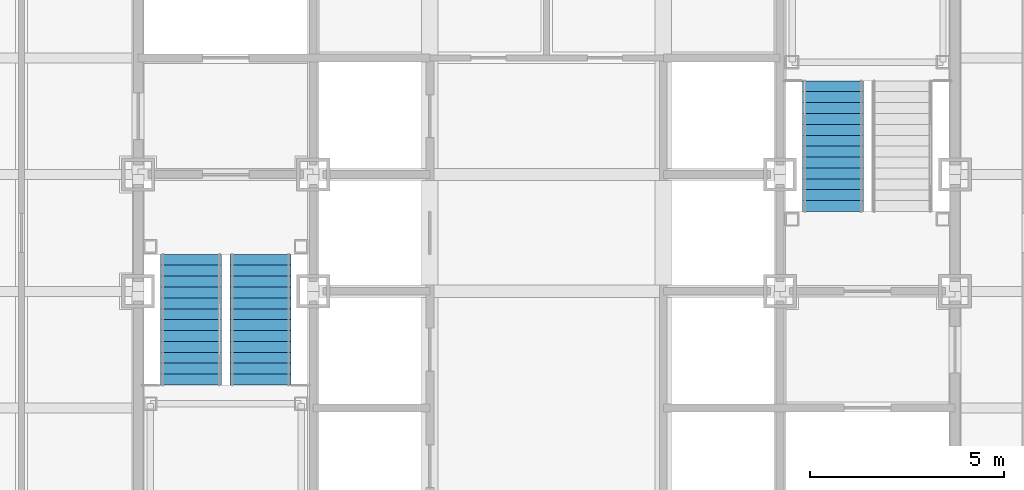
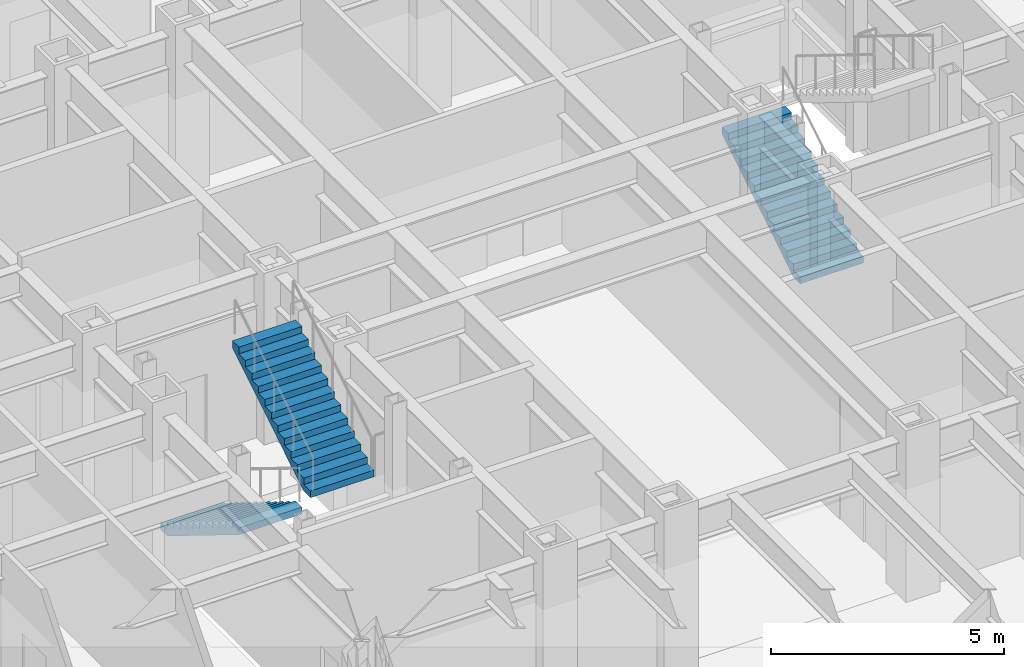
# One storey, part 12 of 17: 3 stair flights, 2 elements without a shape of their own.
"""IFC4 building model written with IfcOpenShell, lengths in metres."""

from ifc_helpers import new_model, si_unit, direction, frame, origin, place, context, subcontext, project, spatial, faceted_brep, material, type_object, element, aggregate, save


model = new_model("IFC4")

# Units and contexts
model_context = context("Model", 3, precision=1e-05, world=origin(), true_north=direction((0.0, 1.0)))
body_context = subcontext(model_context, "Body", "Model", "MODEL_VIEW")
ifc_project = project(units=[si_unit("LENGTHUNIT", "METRE"), si_unit("AREAUNIT", "SQUARE_METRE"), si_unit("VOLUMEUNIT", "CUBIC_METRE"), si_unit("PLANEANGLEUNIT", "RADIAN"), si_unit("MASSUNIT", "GRAM", prefix="KILO")], contexts=[model_context])

# Site, building, storey
site_placement = place(None, origin())
site = spatial("IfcSite", under=ifc_project, at=site_placement, CompositionType="ELEMENT")
building_placement = place(site_placement, origin())
building = spatial("IfcBuilding", under=site, at=building_placement, Name="Chuquiago Exchange Tower", CompositionType="ELEMENT")
storey_placement = place(building_placement, frame((0.0, 0.0, 46.800048828125)))
storey = spatial("IfcBuildingStorey", under=building, at=storey_placement, Name="L09", CompositionType="ELEMENT", Elevation=46.800048828125)

# Stair, stair flights
ifc_material_1 = material(Name="Concrete C30/37, precast", Category="concrete")
stair_type_1 = type_object("IfcStairType", Name="ST1 half-turn stair 4500", PredefinedType="HALF_TURN_STAIR", material=ifc_material_1)
stair_1_placement = place(storey_placement, origin())
stair_1 = element("IfcStair", 1, at=stair_1_placement, inside=storey, type_object=stair_type_1, Name="Stair ST1 L09", PredefinedType="HALF_TURN_STAIR")
ifc_material_2 = material(Name="Concrete C30/37, precast", Category="concrete")
stair_flight_type = type_object("IfcStairFlightType", Name="ST-F flight 1570 for 4500 storey", PredefinedType="STRAIGHT", material=ifc_material_2)
stair_flight_1_placement = place(storey_placement, frame((13.360107421875, 21.949951171875, 0.0), z_axis=(0.0, 0.0, 1.0), x_axis=(0.0, -1.0, 0.0)))
stair_flight_1 = element("IfcStairFlight", 2, at=stair_flight_1_placement, type_object=stair_flight_type, Name="ST1 flight 1", NumberOfRisers=13, NumberOfTreads=12, PredefinedType="STRAIGHT", RiserHeight=0.173076923, TreadLength=0.28, context=body_context, shape_type="Brep", body=[
    faceted_brep([(0.0, 0.78515625, 0.0), (0.0, 0.78515625, 0.173095703125), (0.280029296875, 0.78515625, 0.173095703125), (0.280029296875, 0.78515625, 0.34619140625), (0.56005859375, 0.78515625, 0.34619140625), (0.56005859375, 0.78515625, 0.519287109375), (0.840087890625, 0.78515625, 0.519287109375), (0.840087890625, 0.78515625, 0.6923828125), (1.1201171875, 0.78515625, 0.6923828125), (1.1201171875, 0.78515625, 0.865478515625), (1.39990234375, 0.78515625, 0.865478515625), (1.39990234375, 0.78515625, 1.03857421875), (1.679931640625, 0.78515625, 1.03857421875), (1.679931640625, 0.78515625, 1.21142578125), (1.9599609375, 0.78515625, 1.21142578125), (1.9599609375, 0.78515625, 1.384521484375), (2.239990234375, 0.78515625, 1.384521484375), (2.239990234375, 0.78515625, 1.5576171875), (2.52001953125, 0.78515625, 1.5576171875), (2.52001953125, 0.78515625, 1.730712890625), (2.800048828125, 0.78515625, 1.730712890625), (2.800048828125, 0.78515625, 1.90380859375), (3.080078125, 0.78515625, 1.90380859375), (3.080078125, 0.78515625, 2.076904296875), (3.360107421875, 0.78515625, 2.076904296875), (3.360107421875, 0.78515625, 1.900634765625), (0.28515625, 0.78515625, 0.0), (0.28515625, -0.78515625, 0.0), (3.360107421875, -0.78515625, 1.900634765625), (3.360107421875, -0.78515625, 2.076904296875), (3.080078125, -0.78515625, 2.076904296875), (3.080078125, -0.78515625, 1.90380859375), (2.800048828125, -0.78515625, 1.90380859375), (2.800048828125, -0.78515625, 1.730712890625), (2.52001953125, -0.78515625, 1.730712890625), (2.52001953125, -0.78515625, 1.5576171875), (2.239990234375, -0.78515625, 1.5576171875), (2.239990234375, -0.78515625, 1.384521484375), (1.9599609375, -0.78515625, 1.384521484375), (1.9599609375, -0.78515625, 1.21142578125), (1.679931640625, -0.78515625, 1.21142578125), (1.679931640625, -0.78515625, 1.03857421875), (1.39990234375, -0.78515625, 1.03857421875), (1.39990234375, -0.78515625, 0.865478515625), (1.1201171875, -0.78515625, 0.865478515625), (1.1201171875, -0.78515625, 0.6923828125), (0.840087890625, -0.78515625, 0.6923828125), (0.840087890625, -0.78515625, 0.519287109375), (0.56005859375, -0.78515625, 0.519287109375), (0.56005859375, -0.78515625, 0.34619140625), (0.280029296875, -0.78515625, 0.34619140625), (0.280029296875, -0.78515625, 0.173095703125), (0.0, -0.78515625, 0.173095703125), (0.0, -0.78515625, 0.0), (0.0, 0.392578125, 0.0), (0.0, 0.392578125, 0.173095703125), (0.0, 0.0, 0.0), (0.0, 0.0, 0.173095703125), (0.0, -0.392578125, 0.0), (0.0, -0.392578125, 0.173095703125), (0.280029296875, 0.392578125, 0.173095703125), (0.280029296875, 0.0, 0.173095703125), (0.280029296875, -0.392578125, 0.173095703125), (0.280029296875, 0.392578125, 0.34619140625), (0.280029296875, 0.0, 0.34619140625), (0.280029296875, -0.392578125, 0.34619140625), (0.56005859375, 0.392578125, 0.34619140625), (0.56005859375, 0.0, 0.34619140625), (0.56005859375, -0.392578125, 0.34619140625), (0.56005859375, 0.392578125, 0.519287109375), (0.56005859375, 0.0, 0.519287109375), (0.56005859375, -0.392578125, 0.519287109375), (0.840087890625, 0.392578125, 0.519287109375), (0.840087890625, 0.0, 0.519287109375), (0.840087890625, -0.392578125, 0.519287109375), (0.840087890625, 0.392578125, 0.6923828125), (0.840087890625, 0.0, 0.6923828125), (0.840087890625, -0.392578125, 0.6923828125), (1.1201171875, 0.392578125, 0.6923828125), (1.1201171875, 0.0, 0.6923828125), (1.1201171875, -0.392578125, 0.6923828125), (1.1201171875, 0.392578125, 0.865478515625), (1.1201171875, 0.0, 0.865478515625), (1.1201171875, -0.392578125, 0.865478515625), (1.39990234375, 0.392578125, 0.865478515625), (1.39990234375, 0.0, 0.865478515625), (1.39990234375, -0.392578125, 0.865478515625), (1.39990234375, 0.392578125, 1.03857421875), (1.39990234375, 0.0, 1.03857421875), (1.39990234375, -0.392578125, 1.03857421875), (1.679931640625, 0.392578125, 1.03857421875), (1.679931640625, 0.0, 1.03857421875), (1.679931640625, -0.392578125, 1.03857421875), (1.679931640625, 0.392578125, 1.21142578125), (1.679931640625, 0.0, 1.21142578125), (1.679931640625, -0.392578125, 1.21142578125), (1.9599609375, 0.392578125, 1.21142578125), (1.9599609375, 0.0, 1.21142578125), (1.9599609375, -0.392578125, 1.21142578125), (1.9599609375, 0.392578125, 1.384521484375), (1.9599609375, 0.0, 1.384521484375), (1.9599609375, -0.392578125, 1.384521484375), (2.239990234375, 0.392578125, 1.384521484375), (2.239990234375, 0.0, 1.384521484375), (2.239990234375, -0.392578125, 1.384521484375), (2.239990234375, 0.392578125, 1.5576171875), (2.239990234375, 0.0, 1.5576171875), (2.239990234375, -0.392578125, 1.5576171875), (2.52001953125, 0.392578125, 1.5576171875), (2.52001953125, 0.0, 1.5576171875), (2.52001953125, -0.392578125, 1.5576171875), (2.52001953125, 0.392578125, 1.730712890625), (2.52001953125, 0.0, 1.730712890625), (2.52001953125, -0.392578125, 1.730712890625), (2.800048828125, 0.392578125, 1.730712890625), (2.800048828125, 0.0, 1.730712890625), (2.800048828125, -0.392578125, 1.730712890625), (2.800048828125, 0.392578125, 1.90380859375), (2.800048828125, 0.0, 1.90380859375), (2.800048828125, -0.392578125, 1.90380859375), (3.080078125, 0.392578125, 1.90380859375), (3.080078125, 0.0, 1.90380859375), (3.080078125, -0.392578125, 1.90380859375), (3.080078125, 0.392578125, 2.076904296875), (3.080078125, 0.0, 2.076904296875), (3.080078125, -0.392578125, 2.076904296875), (3.360107421875, 0.392578125, 2.076904296875), (3.360107421875, 0.0, 2.076904296875), (3.360107421875, -0.392578125, 2.076904296875), (3.360107421875, 0.392578125, 1.900634765625), (3.360107421875, 0.0, 1.900634765625), (3.360107421875, -0.392578125, 1.900634765625), (0.28515625, 0.392578125, 0.0), (0.28515625, 0.0, 0.0), (0.28515625, -0.392578125, 0.0)], [[[0, 1, 2, 3, 4, 5, 6, 7, 8, 9, 10, 11, 12, 13, 14, 15, 16, 17, 18, 19, 20, 21, 22, 23, 24, 25, 26]], [[27, 28, 29, 30, 31, 32, 33, 34, 35, 36, 37, 38, 39, 40, 41, 42, 43, 44, 45, 46, 47, 48, 49, 50, 51, 52, 53]], [[1, 0, 54, 55]], [[55, 54, 56, 57]], [[57, 56, 58, 59]], [[59, 58, 53, 52]], [[2, 1, 55, 60]], [[60, 55, 57, 61]], [[61, 57, 59, 62]], [[62, 59, 52, 51]], [[3, 2, 60, 63]], [[63, 60, 61, 64]], [[64, 61, 62, 65]], [[65, 62, 51, 50]], [[4, 3, 63, 66]], [[66, 63, 64, 67]], [[67, 64, 65, 68]], [[68, 65, 50, 49]], [[5, 4, 66, 69]], [[69, 66, 67, 70]], [[70, 67, 68, 71]], [[71, 68, 49, 48]], [[6, 5, 69, 72]], [[72, 69, 70, 73]], [[73, 70, 71, 74]], [[74, 71, 48, 47]], [[7, 6, 72, 75]], [[75, 72, 73, 76]], [[76, 73, 74, 77]], [[77, 74, 47, 46]], [[8, 7, 75, 78]], [[78, 75, 76, 79]], [[79, 76, 77, 80]], [[80, 77, 46, 45]], [[9, 8, 78, 81]], [[81, 78, 79, 82]], [[82, 79, 80, 83]], [[83, 80, 45, 44]], [[10, 9, 81, 84]], [[84, 81, 82, 85]], [[85, 82, 83, 86]], [[86, 83, 44, 43]], [[11, 10, 84, 87]], [[87, 84, 85, 88]], [[88, 85, 86, 89]], [[89, 86, 43, 42]], [[12, 11, 87, 90]], [[90, 87, 88, 91]], [[91, 88, 89, 92]], [[92, 89, 42, 41]], [[13, 12, 90, 93]], [[93, 90, 91, 94]], [[94, 91, 92, 95]], [[95, 92, 41, 40]], [[14, 13, 93, 96]], [[96, 93, 94, 97]], [[97, 94, 95, 98]], [[98, 95, 40, 39]], [[15, 14, 96, 99]], [[99, 96, 97, 100]], [[100, 97, 98, 101]], [[101, 98, 39, 38]], [[16, 15, 99, 102]], [[102, 99, 100, 103]], [[103, 100, 101, 104]], [[104, 101, 38, 37]], [[17, 16, 102, 105]], [[105, 102, 103, 106]], [[106, 103, 104, 107]], [[107, 104, 37, 36]], [[18, 17, 105, 108]], [[108, 105, 106, 109]], [[109, 106, 107, 110]], [[110, 107, 36, 35]], [[19, 18, 108, 111]], [[111, 108, 109, 112]], [[112, 109, 110, 113]], [[113, 110, 35, 34]], [[20, 19, 111, 114]], [[114, 111, 112, 115]], [[115, 112, 113, 116]], [[116, 113, 34, 33]], [[21, 20, 114, 117]], [[117, 114, 115, 118]], [[118, 115, 116, 119]], [[119, 116, 33, 32]], [[22, 21, 117, 120]], [[120, 117, 118, 121]], [[121, 118, 119, 122]], [[122, 119, 32, 31]], [[23, 22, 120, 123]], [[123, 120, 121, 124]], [[124, 121, 122, 125]], [[125, 122, 31, 30]], [[24, 23, 123, 126]], [[126, 123, 124, 127]], [[127, 124, 125, 128]], [[128, 125, 30, 29]], [[25, 24, 126, 129]], [[129, 126, 127, 130]], [[130, 127, 128, 131]], [[131, 128, 29, 28]], [[26, 25, 129, 132]], [[132, 129, 130, 133]], [[133, 130, 131, 134]], [[134, 131, 28, 27]], [[0, 26, 132, 54]], [[54, 132, 133, 56]], [[56, 133, 134, 58]], [[58, 134, 27, 53]]]),
])
stair_flight_2_placement = place(storey_placement, frame((15.139892578125, 18.590087890625, 2.25), z_axis=(0.0, 0.0, 1.0), x_axis=(0.0, 1.0, 0.0)))
stair_flight_2 = element("IfcStairFlight", 3, at=stair_flight_2_placement, type_object=stair_flight_type, Name="ST1 flight 2", NumberOfRisers=13, NumberOfTreads=12, PredefinedType="STRAIGHT", RiserHeight=0.173076923, TreadLength=0.28, context=body_context, shape_type="Brep", body=[
    faceted_brep([(0.0, 0.78515625, 0.0), (0.0, 0.78515625, 0.173095703125), (0.280029296875, 0.78515625, 0.173095703125), (0.280029296875, 0.78515625, 0.34619140625), (0.56005859375, 0.78515625, 0.34619140625), (0.56005859375, 0.78515625, 0.519287109375), (0.840087890625, 0.78515625, 0.519287109375), (0.840087890625, 0.78515625, 0.6923828125), (1.1201171875, 0.78515625, 0.6923828125), (1.1201171875, 0.78515625, 0.865478515625), (1.39990234375, 0.78515625, 0.865478515625), (1.39990234375, 0.78515625, 1.03857421875), (1.679931640625, 0.78515625, 1.03857421875), (1.679931640625, 0.78515625, 1.21142578125), (1.9599609375, 0.78515625, 1.21142578125), (1.9599609375, 0.78515625, 1.384521484375), (2.239990234375, 0.78515625, 1.384521484375), (2.239990234375, 0.78515625, 1.5576171875), (2.52001953125, 0.78515625, 1.5576171875), (2.52001953125, 0.78515625, 1.730712890625), (2.800048828125, 0.78515625, 1.730712890625), (2.800048828125, 0.78515625, 1.90380859375), (3.080078125, 0.78515625, 1.90380859375), (3.080078125, 0.78515625, 2.076904296875), (3.360107421875, 0.78515625, 2.076904296875), (3.360107421875, 0.78515625, 1.900634765625), (0.28515625, 0.78515625, 0.0), (0.28515625, -0.78515625, 0.0), (3.360107421875, -0.78515625, 1.900634765625), (3.360107421875, -0.78515625, 2.076904296875), (3.080078125, -0.78515625, 2.076904296875), (3.080078125, -0.78515625, 1.90380859375), (2.800048828125, -0.78515625, 1.90380859375), (2.800048828125, -0.78515625, 1.730712890625), (2.52001953125, -0.78515625, 1.730712890625), (2.52001953125, -0.78515625, 1.5576171875), (2.239990234375, -0.78515625, 1.5576171875), (2.239990234375, -0.78515625, 1.384521484375), (1.9599609375, -0.78515625, 1.384521484375), (1.9599609375, -0.78515625, 1.21142578125), (1.679931640625, -0.78515625, 1.21142578125), (1.679931640625, -0.78515625, 1.03857421875), (1.39990234375, -0.78515625, 1.03857421875), (1.39990234375, -0.78515625, 0.865478515625), (1.1201171875, -0.78515625, 0.865478515625), (1.1201171875, -0.78515625, 0.6923828125), (0.840087890625, -0.78515625, 0.6923828125), (0.840087890625, -0.78515625, 0.519287109375), (0.56005859375, -0.78515625, 0.519287109375), (0.56005859375, -0.78515625, 0.34619140625), (0.280029296875, -0.78515625, 0.34619140625), (0.280029296875, -0.78515625, 0.173095703125), (0.0, -0.78515625, 0.173095703125), (0.0, -0.78515625, 0.0), (0.0, 0.392578125, 0.0), (0.0, 0.392578125, 0.173095703125), (0.0, 0.0, 0.0), (0.0, 0.0, 0.173095703125), (0.0, -0.392578125, 0.0), (0.0, -0.392578125, 0.173095703125), (0.280029296875, 0.392578125, 0.173095703125), (0.280029296875, 0.0, 0.173095703125), (0.280029296875, -0.392578125, 0.173095703125), (0.280029296875, 0.392578125, 0.34619140625), (0.280029296875, 0.0, 0.34619140625), (0.280029296875, -0.392578125, 0.34619140625), (0.56005859375, 0.392578125, 0.34619140625), (0.56005859375, 0.0, 0.34619140625), (0.56005859375, -0.392578125, 0.34619140625), (0.56005859375, 0.392578125, 0.519287109375), (0.56005859375, 0.0, 0.519287109375), (0.56005859375, -0.392578125, 0.519287109375), (0.840087890625, 0.392578125, 0.519287109375), (0.840087890625, 0.0, 0.519287109375), (0.840087890625, -0.392578125, 0.519287109375), (0.840087890625, 0.392578125, 0.6923828125), (0.840087890625, 0.0, 0.6923828125), (0.840087890625, -0.392578125, 0.6923828125), (1.1201171875, 0.392578125, 0.6923828125), (1.1201171875, 0.0, 0.6923828125), (1.1201171875, -0.392578125, 0.6923828125), (1.1201171875, 0.392578125, 0.865478515625), (1.1201171875, 0.0, 0.865478515625), (1.1201171875, -0.392578125, 0.865478515625), (1.39990234375, 0.392578125, 0.865478515625), (1.39990234375, 0.0, 0.865478515625), (1.39990234375, -0.392578125, 0.865478515625), (1.39990234375, 0.392578125, 1.03857421875), (1.39990234375, 0.0, 1.03857421875), (1.39990234375, -0.392578125, 1.03857421875), (1.679931640625, 0.392578125, 1.03857421875), (1.679931640625, 0.0, 1.03857421875), (1.679931640625, -0.392578125, 1.03857421875), (1.679931640625, 0.392578125, 1.21142578125), (1.679931640625, 0.0, 1.21142578125), (1.679931640625, -0.392578125, 1.21142578125), (1.9599609375, 0.392578125, 1.21142578125), (1.9599609375, 0.0, 1.21142578125), (1.9599609375, -0.392578125, 1.21142578125), (1.9599609375, 0.392578125, 1.384521484375), (1.9599609375, 0.0, 1.384521484375), (1.9599609375, -0.392578125, 1.384521484375), (2.239990234375, 0.392578125, 1.384521484375), (2.239990234375, 0.0, 1.384521484375), (2.239990234375, -0.392578125, 1.384521484375), (2.239990234375, 0.392578125, 1.5576171875), (2.239990234375, 0.0, 1.5576171875), (2.239990234375, -0.392578125, 1.5576171875), (2.52001953125, 0.392578125, 1.5576171875), (2.52001953125, 0.0, 1.5576171875), (2.52001953125, -0.392578125, 1.5576171875), (2.52001953125, 0.392578125, 1.730712890625), (2.52001953125, 0.0, 1.730712890625), (2.52001953125, -0.392578125, 1.730712890625), (2.800048828125, 0.392578125, 1.730712890625), (2.800048828125, 0.0, 1.730712890625), (2.800048828125, -0.392578125, 1.730712890625), (2.800048828125, 0.392578125, 1.90380859375), (2.800048828125, 0.0, 1.90380859375), (2.800048828125, -0.392578125, 1.90380859375), (3.080078125, 0.392578125, 1.90380859375), (3.080078125, 0.0, 1.90380859375), (3.080078125, -0.392578125, 1.90380859375), (3.080078125, 0.392578125, 2.076904296875), (3.080078125, 0.0, 2.076904296875), (3.080078125, -0.392578125, 2.076904296875), (3.360107421875, 0.392578125, 2.076904296875), (3.360107421875, 0.0, 2.076904296875), (3.360107421875, -0.392578125, 2.076904296875), (3.360107421875, 0.392578125, 1.900634765625), (3.360107421875, 0.0, 1.900634765625), (3.360107421875, -0.392578125, 1.900634765625), (0.28515625, 0.392578125, 0.0), (0.28515625, 0.0, 0.0), (0.28515625, -0.392578125, 0.0)], [[[0, 1, 2, 3, 4, 5, 6, 7, 8, 9, 10, 11, 12, 13, 14, 15, 16, 17, 18, 19, 20, 21, 22, 23, 24, 25, 26]], [[27, 28, 29, 30, 31, 32, 33, 34, 35, 36, 37, 38, 39, 40, 41, 42, 43, 44, 45, 46, 47, 48, 49, 50, 51, 52, 53]], [[1, 0, 54, 55]], [[55, 54, 56, 57]], [[57, 56, 58, 59]], [[59, 58, 53, 52]], [[2, 1, 55, 60]], [[60, 55, 57, 61]], [[61, 57, 59, 62]], [[62, 59, 52, 51]], [[3, 2, 60, 63]], [[63, 60, 61, 64]], [[64, 61, 62, 65]], [[65, 62, 51, 50]], [[4, 3, 63, 66]], [[66, 63, 64, 67]], [[67, 64, 65, 68]], [[68, 65, 50, 49]], [[5, 4, 66, 69]], [[69, 66, 67, 70]], [[70, 67, 68, 71]], [[71, 68, 49, 48]], [[6, 5, 69, 72]], [[72, 69, 70, 73]], [[73, 70, 71, 74]], [[74, 71, 48, 47]], [[7, 6, 72, 75]], [[75, 72, 73, 76]], [[76, 73, 74, 77]], [[77, 74, 47, 46]], [[8, 7, 75, 78]], [[78, 75, 76, 79]], [[79, 76, 77, 80]], [[80, 77, 46, 45]], [[9, 8, 78, 81]], [[81, 78, 79, 82]], [[82, 79, 80, 83]], [[83, 80, 45, 44]], [[10, 9, 81, 84]], [[84, 81, 82, 85]], [[85, 82, 83, 86]], [[86, 83, 44, 43]], [[11, 10, 84, 87]], [[87, 84, 85, 88]], [[88, 85, 86, 89]], [[89, 86, 43, 42]], [[12, 11, 87, 90]], [[90, 87, 88, 91]], [[91, 88, 89, 92]], [[92, 89, 42, 41]], [[13, 12, 90, 93]], [[93, 90, 91, 94]], [[94, 91, 92, 95]], [[95, 92, 41, 40]], [[14, 13, 93, 96]], [[96, 93, 94, 97]], [[97, 94, 95, 98]], [[98, 95, 40, 39]], [[15, 14, 96, 99]], [[99, 96, 97, 100]], [[100, 97, 98, 101]], [[101, 98, 39, 38]], [[16, 15, 99, 102]], [[102, 99, 100, 103]], [[103, 100, 101, 104]], [[104, 101, 38, 37]], [[17, 16, 102, 105]], [[105, 102, 103, 106]], [[106, 103, 104, 107]], [[107, 104, 37, 36]], [[18, 17, 105, 108]], [[108, 105, 106, 109]], [[109, 106, 107, 110]], [[110, 107, 36, 35]], [[19, 18, 108, 111]], [[111, 108, 109, 112]], [[112, 109, 110, 113]], [[113, 110, 35, 34]], [[20, 19, 111, 114]], [[114, 111, 112, 115]], [[115, 112, 113, 116]], [[116, 113, 34, 33]], [[21, 20, 114, 117]], [[117, 114, 115, 118]], [[118, 115, 116, 119]], [[119, 116, 33, 32]], [[22, 21, 117, 120]], [[120, 117, 118, 121]], [[121, 118, 119, 122]], [[122, 119, 32, 31]], [[23, 22, 120, 123]], [[123, 120, 121, 124]], [[124, 121, 122, 125]], [[125, 122, 31, 30]], [[24, 23, 123, 126]], [[126, 123, 124, 127]], [[127, 124, 125, 128]], [[128, 125, 30, 29]], [[25, 24, 126, 129]], [[129, 126, 127, 130]], [[130, 127, 128, 131]], [[131, 128, 29, 28]], [[26, 25, 129, 132]], [[132, 129, 130, 133]], [[133, 130, 131, 134]], [[134, 131, 28, 27]], [[0, 26, 132, 54]], [[54, 132, 133, 56]], [[56, 133, 134, 58]], [[58, 134, 27, 53]]]),
])
aggregate(stair_1, [stair_flight_1, stair_flight_2])

# Stair, stair flight
ifc_material_3 = material(Name="Concrete C30/37, precast", Category="concrete")
stair_type_2 = type_object("IfcStairType", Name="ST2 half-turn stair 4500", PredefinedType="HALF_TURN_STAIR", material=ifc_material_3)
stair_2_placement = place(storey_placement, origin())
stair_2 = element("IfcStair", 4, at=stair_2_placement, inside=storey, type_object=stair_type_2, Name="Stair ST2 L09", PredefinedType="HALF_TURN_STAIR")
stair_flight_3_placement = place(storey_placement, frame((29.860107421875, 23.050048828125, 0.0), z_axis=(0.0, 0.0, 1.0), x_axis=(0.0, 1.0, 0.0)))
stair_flight_3 = element("IfcStairFlight", 5, at=stair_flight_3_placement, type_object=stair_flight_type, Name="ST2 flight 1", NumberOfRisers=13, NumberOfTreads=12, PredefinedType="STRAIGHT", RiserHeight=0.173076923, TreadLength=0.28, context=body_context, shape_type="Brep", body=[
    faceted_brep([(0.0, 0.78515625, 0.0), (0.0, 0.78515625, 0.173095703125), (0.280029296875, 0.78515625, 0.173095703125), (0.280029296875, 0.78515625, 0.34619140625), (0.56005859375, 0.78515625, 0.34619140625), (0.56005859375, 0.78515625, 0.519287109375), (0.840087890625, 0.78515625, 0.519287109375), (0.840087890625, 0.78515625, 0.6923828125), (1.1201171875, 0.78515625, 0.6923828125), (1.1201171875, 0.78515625, 0.865478515625), (1.39990234375, 0.78515625, 0.865478515625), (1.39990234375, 0.78515625, 1.03857421875), (1.679931640625, 0.78515625, 1.03857421875), (1.679931640625, 0.78515625, 1.21142578125), (1.9599609375, 0.78515625, 1.21142578125), (1.9599609375, 0.78515625, 1.384521484375), (2.239990234375, 0.78515625, 1.384521484375), (2.239990234375, 0.78515625, 1.5576171875), (2.52001953125, 0.78515625, 1.5576171875), (2.52001953125, 0.78515625, 1.730712890625), (2.800048828125, 0.78515625, 1.730712890625), (2.800048828125, 0.78515625, 1.90380859375), (3.080078125, 0.78515625, 1.90380859375), (3.080078125, 0.78515625, 2.076904296875), (3.360107421875, 0.78515625, 2.076904296875), (3.360107421875, 0.78515625, 1.900634765625), (0.28515625, 0.78515625, 0.0), (0.28515625, -0.78515625, 0.0), (3.360107421875, -0.78515625, 1.900634765625), (3.360107421875, -0.78515625, 2.076904296875), (3.080078125, -0.78515625, 2.076904296875), (3.080078125, -0.78515625, 1.90380859375), (2.800048828125, -0.78515625, 1.90380859375), (2.800048828125, -0.78515625, 1.730712890625), (2.52001953125, -0.78515625, 1.730712890625), (2.52001953125, -0.78515625, 1.5576171875), (2.239990234375, -0.78515625, 1.5576171875), (2.239990234375, -0.78515625, 1.384521484375), (1.9599609375, -0.78515625, 1.384521484375), (1.9599609375, -0.78515625, 1.21142578125), (1.679931640625, -0.78515625, 1.21142578125), (1.679931640625, -0.78515625, 1.03857421875), (1.39990234375, -0.78515625, 1.03857421875), (1.39990234375, -0.78515625, 0.865478515625), (1.1201171875, -0.78515625, 0.865478515625), (1.1201171875, -0.78515625, 0.6923828125), (0.840087890625, -0.78515625, 0.6923828125), (0.840087890625, -0.78515625, 0.519287109375), (0.56005859375, -0.78515625, 0.519287109375), (0.56005859375, -0.78515625, 0.34619140625), (0.280029296875, -0.78515625, 0.34619140625), (0.280029296875, -0.78515625, 0.173095703125), (0.0, -0.78515625, 0.173095703125), (0.0, -0.78515625, 0.0), (0.0, 0.392578125, 0.0), (0.0, 0.392578125, 0.173095703125), (0.0, 0.0, 0.0), (0.0, 0.0, 0.173095703125), (0.0, -0.392578125, 0.0), (0.0, -0.392578125, 0.173095703125), (0.280029296875, 0.392578125, 0.173095703125), (0.280029296875, 0.0, 0.173095703125), (0.280029296875, -0.392578125, 0.173095703125), (0.280029296875, 0.392578125, 0.34619140625), (0.280029296875, 0.0, 0.34619140625), (0.280029296875, -0.392578125, 0.34619140625), (0.56005859375, 0.392578125, 0.34619140625), (0.56005859375, 0.0, 0.34619140625), (0.56005859375, -0.392578125, 0.34619140625), (0.56005859375, 0.392578125, 0.519287109375), (0.56005859375, 0.0, 0.519287109375), (0.56005859375, -0.392578125, 0.519287109375), (0.840087890625, 0.392578125, 0.519287109375), (0.840087890625, 0.0, 0.519287109375), (0.840087890625, -0.392578125, 0.519287109375), (0.840087890625, 0.392578125, 0.6923828125), (0.840087890625, 0.0, 0.6923828125), (0.840087890625, -0.392578125, 0.6923828125), (1.1201171875, 0.392578125, 0.6923828125), (1.1201171875, 0.0, 0.6923828125), (1.1201171875, -0.392578125, 0.6923828125), (1.1201171875, 0.392578125, 0.865478515625), (1.1201171875, 0.0, 0.865478515625), (1.1201171875, -0.392578125, 0.865478515625), (1.39990234375, 0.392578125, 0.865478515625), (1.39990234375, 0.0, 0.865478515625), (1.39990234375, -0.392578125, 0.865478515625), (1.39990234375, 0.392578125, 1.03857421875), (1.39990234375, 0.0, 1.03857421875), (1.39990234375, -0.392578125, 1.03857421875), (1.679931640625, 0.392578125, 1.03857421875), (1.679931640625, 0.0, 1.03857421875), (1.679931640625, -0.392578125, 1.03857421875), (1.679931640625, 0.392578125, 1.21142578125), (1.679931640625, 0.0, 1.21142578125), (1.679931640625, -0.392578125, 1.21142578125), (1.9599609375, 0.392578125, 1.21142578125), (1.9599609375, 0.0, 1.21142578125), (1.9599609375, -0.392578125, 1.21142578125), (1.9599609375, 0.392578125, 1.384521484375), (1.9599609375, 0.0, 1.384521484375), (1.9599609375, -0.392578125, 1.384521484375), (2.239990234375, 0.392578125, 1.384521484375), (2.239990234375, 0.0, 1.384521484375), (2.239990234375, -0.392578125, 1.384521484375), (2.239990234375, 0.392578125, 1.5576171875), (2.239990234375, 0.0, 1.5576171875), (2.239990234375, -0.392578125, 1.5576171875), (2.52001953125, 0.392578125, 1.5576171875), (2.52001953125, 0.0, 1.5576171875), (2.52001953125, -0.392578125, 1.5576171875), (2.52001953125, 0.392578125, 1.730712890625), (2.52001953125, 0.0, 1.730712890625), (2.52001953125, -0.392578125, 1.730712890625), (2.800048828125, 0.392578125, 1.730712890625), (2.800048828125, 0.0, 1.730712890625), (2.800048828125, -0.392578125, 1.730712890625), (2.800048828125, 0.392578125, 1.90380859375), (2.800048828125, 0.0, 1.90380859375), (2.800048828125, -0.392578125, 1.90380859375), (3.080078125, 0.392578125, 1.90380859375), (3.080078125, 0.0, 1.90380859375), (3.080078125, -0.392578125, 1.90380859375), (3.080078125, 0.392578125, 2.076904296875), (3.080078125, 0.0, 2.076904296875), (3.080078125, -0.392578125, 2.076904296875), (3.360107421875, 0.392578125, 2.076904296875), (3.360107421875, 0.0, 2.076904296875), (3.360107421875, -0.392578125, 2.076904296875), (3.360107421875, 0.392578125, 1.900634765625), (3.360107421875, 0.0, 1.900634765625), (3.360107421875, -0.392578125, 1.900634765625), (0.28515625, 0.392578125, 0.0), (0.28515625, 0.0, 0.0), (0.28515625, -0.392578125, 0.0)], [[[0, 1, 2, 3, 4, 5, 6, 7, 8, 9, 10, 11, 12, 13, 14, 15, 16, 17, 18, 19, 20, 21, 22, 23, 24, 25, 26]], [[27, 28, 29, 30, 31, 32, 33, 34, 35, 36, 37, 38, 39, 40, 41, 42, 43, 44, 45, 46, 47, 48, 49, 50, 51, 52, 53]], [[1, 0, 54, 55]], [[55, 54, 56, 57]], [[57, 56, 58, 59]], [[59, 58, 53, 52]], [[2, 1, 55, 60]], [[60, 55, 57, 61]], [[61, 57, 59, 62]], [[62, 59, 52, 51]], [[3, 2, 60, 63]], [[63, 60, 61, 64]], [[64, 61, 62, 65]], [[65, 62, 51, 50]], [[4, 3, 63, 66]], [[66, 63, 64, 67]], [[67, 64, 65, 68]], [[68, 65, 50, 49]], [[5, 4, 66, 69]], [[69, 66, 67, 70]], [[70, 67, 68, 71]], [[71, 68, 49, 48]], [[6, 5, 69, 72]], [[72, 69, 70, 73]], [[73, 70, 71, 74]], [[74, 71, 48, 47]], [[7, 6, 72, 75]], [[75, 72, 73, 76]], [[76, 73, 74, 77]], [[77, 74, 47, 46]], [[8, 7, 75, 78]], [[78, 75, 76, 79]], [[79, 76, 77, 80]], [[80, 77, 46, 45]], [[9, 8, 78, 81]], [[81, 78, 79, 82]], [[82, 79, 80, 83]], [[83, 80, 45, 44]], [[10, 9, 81, 84]], [[84, 81, 82, 85]], [[85, 82, 83, 86]], [[86, 83, 44, 43]], [[11, 10, 84, 87]], [[87, 84, 85, 88]], [[88, 85, 86, 89]], [[89, 86, 43, 42]], [[12, 11, 87, 90]], [[90, 87, 88, 91]], [[91, 88, 89, 92]], [[92, 89, 42, 41]], [[13, 12, 90, 93]], [[93, 90, 91, 94]], [[94, 91, 92, 95]], [[95, 92, 41, 40]], [[14, 13, 93, 96]], [[96, 93, 94, 97]], [[97, 94, 95, 98]], [[98, 95, 40, 39]], [[15, 14, 96, 99]], [[99, 96, 97, 100]], [[100, 97, 98, 101]], [[101, 98, 39, 38]], [[16, 15, 99, 102]], [[102, 99, 100, 103]], [[103, 100, 101, 104]], [[104, 101, 38, 37]], [[17, 16, 102, 105]], [[105, 102, 103, 106]], [[106, 103, 104, 107]], [[107, 104, 37, 36]], [[18, 17, 105, 108]], [[108, 105, 106, 109]], [[109, 106, 107, 110]], [[110, 107, 36, 35]], [[19, 18, 108, 111]], [[111, 108, 109, 112]], [[112, 109, 110, 113]], [[113, 110, 35, 34]], [[20, 19, 111, 114]], [[114, 111, 112, 115]], [[115, 112, 113, 116]], [[116, 113, 34, 33]], [[21, 20, 114, 117]], [[117, 114, 115, 118]], [[118, 115, 116, 119]], [[119, 116, 33, 32]], [[22, 21, 117, 120]], [[120, 117, 118, 121]], [[121, 118, 119, 122]], [[122, 119, 32, 31]], [[23, 22, 120, 123]], [[123, 120, 121, 124]], [[124, 121, 122, 125]], [[125, 122, 31, 30]], [[24, 23, 123, 126]], [[126, 123, 124, 127]], [[127, 124, 125, 128]], [[128, 125, 30, 29]], [[25, 24, 126, 129]], [[129, 126, 127, 130]], [[130, 127, 128, 131]], [[131, 128, 29, 28]], [[26, 25, 129, 132]], [[132, 129, 130, 133]], [[133, 130, 131, 134]], [[134, 131, 28, 27]], [[0, 26, 132, 54]], [[54, 132, 133, 56]], [[56, 133, 134, 58]], [[58, 134, 27, 53]]]),
])
aggregate(stair_2, [stair_flight_3])

save(model, "model.ifc")
